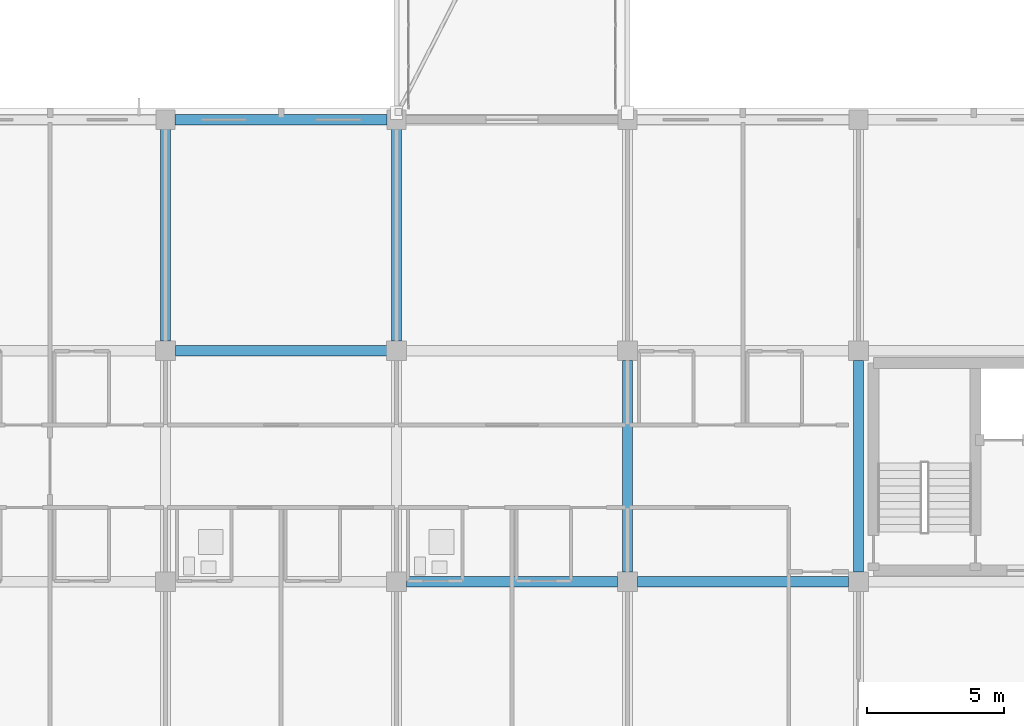
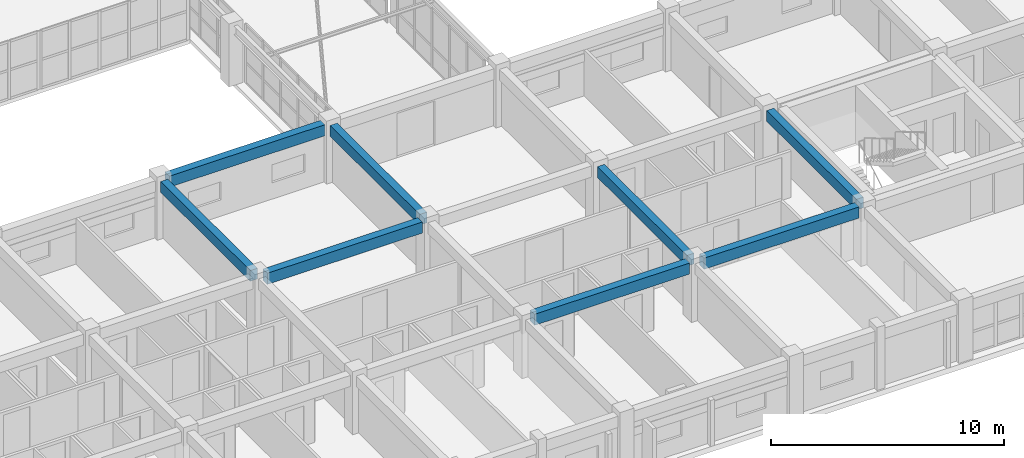
# One storey, part 25 of 148: 8 beams.
"""IFC4 building model written with IfcOpenShell, lengths in metres."""

from ifc_helpers import new_model, si_unit, direction, frame, origin, origin_2d, place, context, subcontext, project, spatial, rectangle, extrude, material, material_profile, profile_set, type_object, element, save


model = new_model("IFC4")

# Units and contexts
model_context = context("Model", 3, precision=1e-05, world=origin(), true_north=direction((0.0, 1.0)))
body_context = subcontext(model_context, "Body", "Model", "MODEL_VIEW")
ifc_project = project(units=[si_unit("LENGTHUNIT", "METRE"), si_unit("AREAUNIT", "SQUARE_METRE"), si_unit("VOLUMEUNIT", "CUBIC_METRE"), si_unit("PLANEANGLEUNIT", "RADIAN"), si_unit("MASSUNIT", "GRAM", prefix="KILO")], contexts=[model_context])

# Site, building, storey
site_placement = place(None, origin())
site = spatial("IfcSite", under=ifc_project, at=site_placement, CompositionType="ELEMENT")
building_placement = place(site_placement, origin())
building = spatial("IfcBuilding", under=site, at=building_placement, Name="Trelvath General Hospital", CompositionType="ELEMENT")
storey_placement = place(building_placement, frame((0.0, 0.0, 12.89990234375)))
storey = spatial("IfcBuildingStorey", under=building, at=storey_placement, Name="L03", CompositionType="ELEMENT", Elevation=12.89990234375)

# Beams
ifc_material_1 = material(Name="Concrete C35/45", Category="concrete")
ifc_material_profile_1 = material_profile(ifc_material_1, rectangle(XDim=0.360107421875, YDim=0.56005859375, at=origin_2d()), Name="RCB360x560")
ifc_profile_set_1 = profile_set([ifc_material_profile_1], Name="Concrete C35/45")
beam_type_1 = type_object("IfcBeamType", Name="Beam RC360x560", PredefinedType="BEAM", material=ifc_profile_set_1)
for number, where, z_axis, x_axis, name in (
    (1, (67.199951171875, 17.155029296875, 2.739990234375), (0.0, 1.0, 0.0), (-1.0, 0.0, 0.0), "Grid Beam BY-308C"),
    (2, (75.60009765625, 17.155029296875, 2.739990234375), (0.0, 1.0, 0.0), (-1.0, 0.0, 0.0), "Grid Beam BY-309C"),
):
    element("IfcBeam", number, at=place(storey_placement, frame(where, z_axis=z_axis, x_axis=x_axis)), inside=storey, type_object=beam_type_1, Name=name, PredefinedType="BEAM", context=body_context, shape_type="SweptSolid", body=[
        extrude(rectangle(XDim=0.360107421875, YDim=0.56005859375, at=origin_2d()), origin(), (0.0, 0.0, 1.0), 7.699951171875),
    ])
for number, where, z_axis, x_axis, name in (
    (3, (84.0, 8.7548828125, 2.739990234375), (0.0, 1.0, 0.0), (-1.0, 0.0, 0.0), "Grid Beam BY-310B"),
    (4, (92.39990234375, 8.7548828125, 2.739990234375), (0.0, 1.0, 0.0), (-1.0, 0.0, 0.0), "Grid Beam BY-311B"),
):
    element("IfcBeam", number, at=place(storey_placement, frame(where, z_axis=z_axis, x_axis=x_axis)), inside=storey, type_object=beam_type_1, Name=name, PredefinedType="BEAM", context=body_context, shape_type="SweptSolid", body=[
        extrude(rectangle(XDim=0.360107421875, YDim=0.56005859375, at=origin_2d()), origin(), (0.0, 0.0, 1.0), 7.690185546875),
    ])
ifc_material_2 = material(Name="Concrete C35/45", Category="concrete")
ifc_material_profile_2 = material_profile(ifc_material_2, rectangle(XDim=0.3798828125, YDim=0.580078125, at=origin_2d()), Name="RCB380x580")
ifc_profile_set_2 = profile_set([ifc_material_profile_2], Name="Concrete C35/45")
beam_type_2 = type_object("IfcBeamType", Name="Beam RC380x580", PredefinedType="BEAM", material=ifc_profile_set_2)
beam_1_placement = place(storey_placement, frame((67.554931640625, 16.800048828125, 2.72998046875), z_axis=(1.0, 0.0, 0.0), x_axis=(0.0, 1.0, 0.0)))
element("IfcBeam", 5, at=beam_1_placement, inside=storey, type_object=beam_type_2, Name="Grid Beam BX-308C", PredefinedType="BEAM", context=body_context, shape_type="SweptSolid", body=[
    extrude(rectangle(XDim=0.3798828125, YDim=0.580078125, at=origin_2d()), origin(), (0.0, 0.0, 1.0), 7.690185546875),
])
beam_2_placement = place(storey_placement, frame((67.544921875, 25.199951171875, 2.72998046875), z_axis=(1.0, 0.0, 0.0), x_axis=(0.0, 1.0, 0.0)))
element("IfcBeam", 6, at=beam_2_placement, inside=storey, type_object=beam_type_2, Name="Grid Beam BX-308D", PredefinedType="BEAM", context=body_context, shape_type="SweptSolid", body=[
    extrude(rectangle(XDim=0.3798828125, YDim=0.580078125, at=origin_2d()), origin(), (0.0, 0.0, 1.0), 7.7099609375),
])
for number, where, z_axis, x_axis, name in (
    (7, (75.955078125, 8.39990234375, 2.72998046875), (1.0, 0.0, 0.0), (0.0, 1.0, 0.0), "Grid Beam BX-309B"),
    (8, (84.35498046875, 8.39990234375, 2.72998046875), (1.0, 0.0, 0.0), (0.0, 1.0, 0.0), "Grid Beam BX-310B"),
):
    element("IfcBeam", number, at=place(storey_placement, frame(where, z_axis=z_axis, x_axis=x_axis)), inside=storey, type_object=beam_type_2, Name=name, PredefinedType="BEAM", context=body_context, shape_type="SweptSolid", body=[
        extrude(rectangle(XDim=0.3798828125, YDim=0.580078125, at=origin_2d()), origin(), (0.0, 0.0, 1.0), 7.68994140625),
    ])

save(model, "model.ifc")
